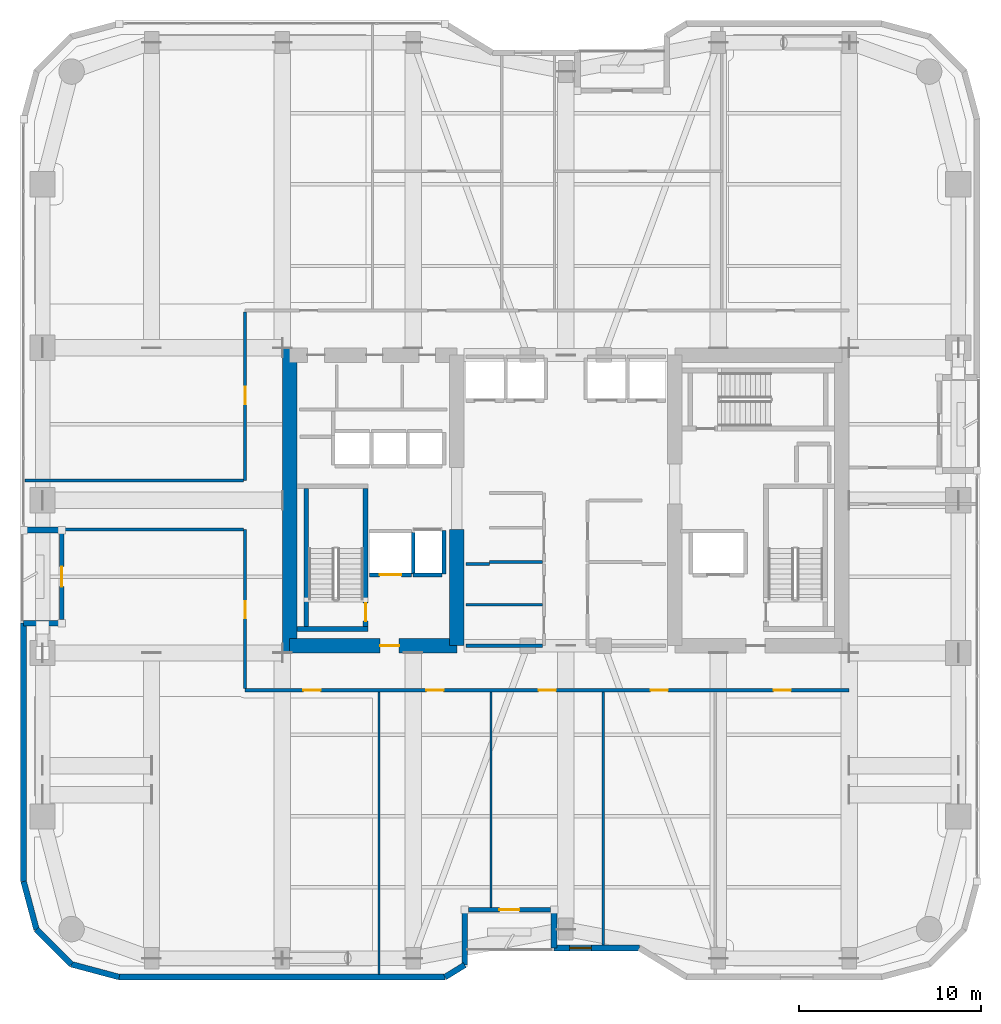
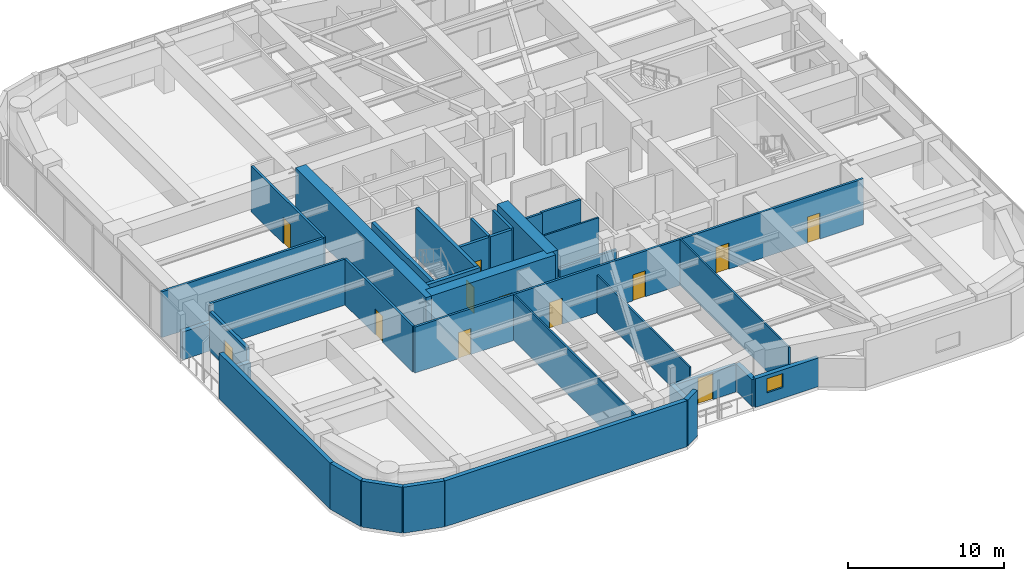
# One storey, part 19 of 25: 35 walls, 12 doors, 1 window, 13 openings.
"""IFC4 building model written with IfcOpenShell, lengths in metres."""

from ifc_helpers import new_model, si_unit, direction, frame, frame_2d, origin, place, context, subcontext, project, spatial, rectangle, extrude, material, layer, layer_set, type_object, element, fill, save


model = new_model("IFC4")

# Units and contexts
model_context = context("Model", 3, precision=1e-05, world=origin(), true_north=direction((0.0, 1.0)))
body_context = subcontext(model_context, "Body", "Model", "MODEL_VIEW")
ifc_project = project(units=[si_unit("LENGTHUNIT", "METRE"), si_unit("AREAUNIT", "SQUARE_METRE"), si_unit("VOLUMEUNIT", "CUBIC_METRE"), si_unit("PLANEANGLEUNIT", "RADIAN"), si_unit("MASSUNIT", "GRAM", prefix="KILO")], contexts=[model_context])

# Site, building, storey
site_placement = place(None, origin())
site = spatial("IfcSite", under=ifc_project, at=site_placement, CompositionType="ELEMENT")
building_placement = place(site_placement, origin())
building = spatial("IfcBuilding", under=site, at=building_placement, Name="Kiyonajd Concourse Tower", CompositionType="ELEMENT")
storey_placement = place(building_placement, frame((0.0, 0.0, 141.60009765625)))
storey = spatial("IfcBuildingStorey", under=building, at=storey_placement, Name="L36", CompositionType="ELEMENT", Elevation=141.60009765625)

# Walls
ifc_material_1 = material(Name="Concrete C70/85", Category="concrete")
ifc_layer_1 = layer(ifc_material_1, 0.800048828125)
ifc_layer_set_1 = layer_set([ifc_layer_1], Name="Concrete C70/85")
wall_type_1 = type_object("IfcWallType", Name="WL-CORE-800", PredefinedType="SHEAR", material=ifc_layer_set_1)
wall_1_placement = place(storey_placement, frame((32.800048828125, 27.60009765625, 0.0), z_axis=(0.0, 0.0, 1.0), x_axis=(0.0, 1.0, 0.0)))
element("IfcWall", 1, at=wall_1_placement, inside=storey, type_object=wall_type_1, Name="L36 West Core Outer Shear Wall", PredefinedType="SHEAR", context=body_context, shape_type="SweptSolid", body=[
    extrude(rectangle(XDim=16.7998046875, YDim=0.800048828125, at=frame_2d((8.39990234375, 0.0))), origin(), (0.0, 0.0, 1.0), 3.89990234375),
])
wall_2_placement = place(storey_placement, frame((42.0, 28.0, 0.0), z_axis=(0.0, 0.0, 1.0), x_axis=(0.0, 1.0, 0.0)))
element("IfcWall", 2, at=wall_2_placement, inside=storey, type_object=wall_type_1, Name="L36 West Core Inner South Shear Wall", PredefinedType="SHEAR", context=body_context, shape_type="SweptSolid", body=[
    extrude(rectangle(XDim=6.39990234375, YDim=0.800048828125, at=frame_2d((3.199951171875, 0.0))), origin(), (0.0, 0.0, 1.0), 3.89990234375),
])

# Wall, opening, door
wall_3_placement = place(storey_placement, frame((32.800048828125, 28.0, 0.0), z_axis=(0.0, 0.0, 1.0), x_axis=(1.0, 0.0, 0.0)))
wall_3 = element("IfcWall", 3, at=wall_3_placement, inside=storey, type_object=wall_type_1, Name="L36 West Core South Shear Wall", PredefinedType="SHEAR", context=body_context, shape_type="SweptSolid", body=[
    extrude(rectangle(XDim=9.199951171875, YDim=0.800048828125, at=frame_2d((4.60009765625, 0.0))), origin(), (0.0, 0.0, 1.0), 3.89990234375),
])
opening_1_placement = place(wall_3_placement, frame((4.97509765625, 0.0, 0.0)))
opening_1 = element("IfcOpeningElement", 4, at=opening_1_placement, cuts=wall_3, Name="Opening DF5", PredefinedType="OPENING", context=body_context, shape_type="SweptSolid", body=[
    extrude(rectangle(XDim=1.050048828125, YDim=2.0400390625, at=frame_2d((0.52490234375, 1.02001953125))), frame((0.0, 0.409912109375, 0.0), z_axis=(0.0, -1.0, 0.0), x_axis=(1.0, 0.0, 0.0)), (0.0, 0.0, 1.0), 0.820068359375),
])
ifc_material_2 = material(Name="Brushed Stainless Steel Cab Assembly", Category="steel")
door_type_1 = type_object("IfcDoorType", Name="DR-FD45-1050", OperationType="NOTDEFINED", PredefinedType="DOOR", material=ifc_material_2)
door_1_placement = place(opening_1_placement, origin())
door_1 = element("IfcDoor", 5, at=door_1_placement, inside=storey, type_object=door_type_1, Name="L36 Firefighting Lift Lobby W Smoke Door", OperationType="SINGLE_SWING_LEFT", OverallHeight=2.0400390625, OverallWidth=1.050048828125, PredefinedType="DOOR", context=body_context, shape_type="SweptSolid", body=[
    extrude(rectangle(XDim=1.050048828125, YDim=2.0400390625, at=frame_2d((0.52490234375, 1.02001953125))), frame((0.0, 0.02490234375, 0.0), z_axis=(0.0, -1.0, 0.0), x_axis=(1.0, 0.0, 0.0)), (0.0, 0.0, 1.0), 0.050048828125),
])
fill(opening_1, door_1)

# Walls
ifc_material_3 = material(Name="Precast concrete C50/60", Category="concrete")
ifc_layer_2 = layer(ifc_material_3, 0.320068359375)
ifc_layer_set_2 = layer_set([ifc_layer_2], Name="Precast concrete C50/60")
wall_type_2 = type_object("IfcWallType", Name="WL-EXT-320", PredefinedType="SOLIDWALL", material=ifc_layer_set_2)
wall_4_placement = place(storey_placement, frame((18.866455078125, 12.3828125, 0.0), z_axis=(0.0, 0.0, 1.0), x_axis=(-0.25869736047, 0.965958423373, 0.0)))
element("IfcWall", 6, at=wall_4_placement, inside=storey, type_object=wall_type_2, Name="L36 Exterior Concrete Frame Wall 00", PredefinedType="SOLIDWALL", context=body_context, shape_type="SweptSolid", body=[
    extrude(rectangle(XDim=2.731201171875, YDim=0.320068359375, at=frame_2d((1.36572265625, 0.0))), origin(), (0.0, 0.0, 1.0), 3.599853515625),
])
wall_5_placement = place(storey_placement, frame((18.159912109375, 15.02099609375, 0.0), z_axis=(0.0, 0.0, 1.0), x_axis=(0.0, 1.0, 0.0)))
element("IfcWall", 7, at=wall_5_placement, inside=storey, type_object=wall_type_2, Name="L36 Exterior Concrete Frame Wall 01", PredefinedType="SOLIDWALL", context=body_context, shape_type="SweptSolid", body=[
    extrude(rectangle(XDim=14.218994140625, YDim=0.320068359375, at=frame_2d((7.109375, 0.0))), origin(), (0.0, 0.0, 1.0), 3.599853515625),
])
for number, where, z_axis, x_axis, name in (
    (8, (18.159912109375, 29.239990234375, 0.0), (0.0, 0.0, 1.0), (1.0, 0.0, 0.0), "L36 Exterior Concrete Frame Wall 02"),
    (9, (20.260009765625, 34.360107421875, 0.0), (0.0, 0.0, 1.0), (-1.0, 0.0, 0.0), "L36 Exterior Concrete Frame Wall 04"),
):
    element("IfcWall", number, at=place(storey_placement, frame(where, z_axis=z_axis, x_axis=x_axis)), inside=storey, type_object=wall_type_2, Name=name, PredefinedType="SOLIDWALL", context=body_context, shape_type="SweptSolid", body=[
        extrude(rectangle(XDim=2.10009765625, YDim=0.320068359375, at=frame_2d((1.050048828125, 0.0))), origin(), (0.0, 0.0, 1.0), 2.184814453125),
    ])

# Wall, opening, window
wall_6_placement = place(storey_placement, frame((52.04541015625, 11.360107421875, 0.0), z_axis=(0.0, 0.0, 1.0), x_axis=(-1.0, 0.0, 0.0)))
wall_6 = element("IfcWall", 10, at=wall_6_placement, inside=storey, type_object=wall_type_2, Name="L36 Exterior Concrete Frame Wall 30", PredefinedType="SOLIDWALL", context=body_context, shape_type="SweptSolid", body=[
    extrude(rectangle(XDim=4.685302734375, YDim=0.320068359375, at=frame_2d((2.3427734375, 0.0))), origin(), (0.0, 0.0, 1.0), 2.244873046875),
])
opening_2_placement = place(wall_6_placement, frame((2.639892578125, 0.0, 0.85009765625)))
opening_2 = element("IfcOpeningElement", 11, at=opening_2_placement, cuts=wall_6, Name="Opening WN3", PredefinedType="OPENING", context=body_context, shape_type="SweptSolid", body=[
    extrude(rectangle(XDim=1.199951171875, YDim=1.10009765625, at=frame_2d((0.60009765625, 0.550048828125))), frame((0.0, 0.169921875, 0.0), z_axis=(0.0, -1.0, 0.0), x_axis=(1.0, 0.0, 0.0)), (0.0, 0.0, 1.0), 0.340087890625),
])
ifc_material_4 = material(Name="Double Low-E Insulated Glass", Category="glass")
window_type = type_object("IfcWindowType", Name="WN-VIS-1200x1100", PartitioningType="SINGLE_PANEL", PredefinedType="WINDOW", material=ifc_material_4)
window_placement = place(opening_2_placement, origin())
window = element("IfcWindow", 12, at=window_placement, inside=storey, type_object=window_type, Name="L36 Modular Facade Vision Window 30", OverallHeight=1.10009765625, OverallWidth=1.199951171875, PartitioningType="SINGLE_PANEL", PredefinedType="WINDOW", context=body_context, shape_type="SweptSolid", body=[
    extrude(rectangle(XDim=1.199951171875, YDim=1.10009765625, at=frame_2d((0.60009765625, 0.550048828125))), frame((0.0, 0.030029296875, 0.0), z_axis=(0.0, -1.0, 0.0), x_axis=(1.0, 0.0, 0.0)), (0.0, 0.0, 1.0), 0.06005859375),
])
fill(opening_2, window)

# Walls
wall_7_placement = place(storey_placement, frame((47.360107421875, 11.360107421875, 0.0), z_axis=(0.0, 0.0, 1.0), x_axis=(0.0, 1.0, 0.0)))
element("IfcWall", 13, at=wall_7_placement, inside=storey, type_object=wall_type_2, Name="L36 Exterior Concrete Frame Wall 31", PredefinedType="SOLIDWALL", context=body_context, shape_type="SweptSolid", body=[
    extrude(rectangle(XDim=2.099853515625, YDim=0.320068359375, at=frame_2d((1.0498046875, 0.0))), origin(), (0.0, 0.0, 1.0), 2.135009765625),
])
wall_8_placement = place(storey_placement, frame((42.43994140625, 13.4599609375, 0.0), z_axis=(0.0, 0.0, 1.0), x_axis=(0.0, -1.0, 0.0)))
element("IfcWall", 14, at=wall_8_placement, inside=storey, type_object=wall_type_2, Name="L36 Exterior Concrete Frame Wall 33", PredefinedType="SOLIDWALL", context=body_context, shape_type="SweptSolid", body=[
    extrude(rectangle(XDim=3.032470703125, YDim=0.320068359375, at=frame_2d((1.51611328125, 0.0))), origin(), (0.0, 0.0, 1.0), 2.244873046875),
])
wall_9_placement = place(storey_placement, frame((42.43994140625, 10.427490234375, 0.0), z_axis=(0.0, 0.0, 1.0), x_axis=(-0.851776724646, -0.523904964045, 0.0)))
element("IfcWall", 15, at=wall_9_placement, inside=storey, type_object=wall_type_2, Name="L36 Exterior Concrete Frame Wall 34", PredefinedType="SOLIDWALL", context=body_context, shape_type="SweptSolid", body=[
    extrude(rectangle(XDim=1.274169921875, YDim=0.320068359375, at=frame_2d((0.63720703125, 0.0))), origin(), (0.0, 0.0, 1.0), 3.599853515625),
])
wall_10_placement = place(storey_placement, frame((41.354736328125, 9.760009765625, 0.0), z_axis=(0.0, 0.0, 1.0), x_axis=(-1.0, 0.0, 0.0)))
element("IfcWall", 16, at=wall_10_placement, inside=storey, type_object=wall_type_2, Name="L36 Exterior Concrete Frame Wall 35", PredefinedType="SOLIDWALL", context=body_context, shape_type="SweptSolid", body=[
    extrude(rectangle(XDim=17.93359375, YDim=0.320068359375, at=frame_2d((8.966796875, 0.0))), origin(), (0.0, 0.0, 1.0), 3.599853515625),
])
wall_11_placement = place(storey_placement, frame((23.421142578125, 9.760009765625, 0.0), z_axis=(0.0, 0.0, 1.0), x_axis=(-0.965964405026, 0.25867502435, 0.0)))
element("IfcWall", 17, at=wall_11_placement, inside=storey, type_object=wall_type_2, Name="L36 Exterior Concrete Frame Wall 36", PredefinedType="SOLIDWALL", context=body_context, shape_type="SweptSolid", body=[
    extrude(rectangle(XDim=2.7314453125, YDim=0.320068359375, at=frame_2d((1.36572265625, 0.0))), origin(), (0.0, 0.0, 1.0), 3.599853515625),
])
wall_12_placement = place(storey_placement, frame((20.78271484375, 10.466552734375, 0.0), z_axis=(0.0, 0.0, 1.0), x_axis=(-0.707106781187, 0.707106781187, 0.0)))
element("IfcWall", 18, at=wall_12_placement, inside=storey, type_object=wall_type_2, Name="L36 Exterior Concrete Frame Wall 37", PredefinedType="SOLIDWALL", context=body_context, shape_type="SweptSolid", body=[
    extrude(rectangle(XDim=2.7099609375, YDim=0.320068359375, at=frame_2d((1.35498046875, 0.0))), origin(), (0.0, 0.0, 1.0), 3.599853515625),
])

# Wall, opening, door
ifc_layer_3 = layer(ifc_material_3, 0.239990234375)
ifc_layer_set_3 = layer_set([ifc_layer_3], Name="Precast concrete C50/60")
wall_type_3 = type_object("IfcWallType", Name="WL-LOG-240", PredefinedType="SOLIDWALL", material=ifc_layer_set_3)
wall_13_placement = place(storey_placement, frame((20.260009765625, 29.43505859375, 0.0), z_axis=(0.0, 0.0, 1.0), x_axis=(0.0, 1.0, 0.0)))
wall_13 = element("IfcWall", 19, at=wall_13_placement, inside=storey, type_object=wall_type_3, Name="L36 Recessed Loggia Thermal Wall LOG-W", PredefinedType="SOLIDWALL", context=body_context, shape_type="SweptSolid", body=[
    extrude(rectangle(XDim=4.72998046875, YDim=0.239990234375, at=frame_2d((2.364990234375, 0.0))), origin(), (0.0, 0.0, 1.0), 3.121826171875),
])
opening_3_placement = place(wall_13_placement, frame((1.81494140625, 0.0, 0.0)))
opening_3 = element("IfcOpeningElement", 20, at=opening_3_placement, cuts=wall_13, Name="Opening DL2", PredefinedType="OPENING", context=body_context, shape_type="SweptSolid", body=[
    extrude(rectangle(XDim=1.10009765625, YDim=2.0400390625, at=frame_2d((0.550048828125, 1.02001953125))), frame((0.0, 0.1298828125, 0.0), z_axis=(0.0, -1.0, 0.0), x_axis=(1.0, 0.0, 0.0)), (0.0, 0.0, 1.0), 0.260009765625),
])
ifc_material_5 = material(Name="Thermally Broken Anodised Aluminium", Category="aluminium")
door_type_2 = type_object("IfcDoorType", Name="DR-LOG-1100", OperationType="NOTDEFINED", PredefinedType="DOOR", material=ifc_material_5)
door_2_placement = place(opening_3_placement, origin())
door_2 = element("IfcDoor", 21, at=door_2_placement, inside=storey, type_object=door_type_2, Name="L36 Engawa Loggia Access Door LOG-W", OperationType="SINGLE_SWING_LEFT", OverallHeight=2.0400390625, OverallWidth=1.10009765625, PredefinedType="DOOR", context=body_context, shape_type="SweptSolid", body=[
    extrude(rectangle(XDim=1.10009765625, YDim=2.0400390625, at=frame_2d((0.550048828125, 1.02001953125))), frame((0.0, 0.02490234375, 0.0), z_axis=(0.0, -1.0, 0.0), x_axis=(1.0, 0.0, 0.0)), (0.0, 0.0, 1.0), 0.050048828125),
])
fill(opening_3, door_2)

wall_14_placement = place(storey_placement, frame((47.1650390625, 13.4599609375, 0.0), z_axis=(0.0, 0.0, 1.0), x_axis=(-1.0, 0.0, 0.0)))
wall_14 = element("IfcWall", 22, at=wall_14_placement, inside=storey, type_object=wall_type_3, Name="L36 Recessed Loggia Thermal Wall LOG-S", PredefinedType="SOLIDWALL", context=body_context, shape_type="SweptSolid", body=[
    extrude(rectangle(XDim=4.530029296875, YDim=0.239990234375, at=frame_2d((2.26513671875, 0.0))), origin(), (0.0, 0.0, 1.0), 2.135009765625),
])
opening_4_placement = place(wall_14_placement, frame((1.715087890625, 0.0, 0.0)))
opening_4 = element("IfcOpeningElement", 23, at=opening_4_placement, cuts=wall_14, Name="Opening DL2", PredefinedType="OPENING", context=body_context, shape_type="SweptSolid", body=[
    extrude(rectangle(XDim=1.10009765625, YDim=2.0400390625, at=frame_2d((0.550048828125, 1.02001953125))), frame((0.0, 0.1298828125, 0.0), z_axis=(0.0, -1.0, 0.0), x_axis=(1.0, 0.0, 0.0)), (0.0, 0.0, 1.0), 0.260009765625),
])
door_3_placement = place(opening_4_placement, origin())
door_3 = element("IfcDoor", 24, at=door_3_placement, inside=storey, type_object=door_type_2, Name="L36 Engawa Loggia Access Door LOG-S", OperationType="SINGLE_SWING_RIGHT", OverallHeight=2.0400390625, OverallWidth=1.10009765625, PredefinedType="DOOR", context=body_context, shape_type="SweptSolid", body=[
    extrude(rectangle(XDim=1.10009765625, YDim=2.0400390625, at=frame_2d((0.550048828125, 1.02001953125))), frame((0.0, 0.02490234375, 0.0), z_axis=(0.0, -1.0, 0.0), x_axis=(1.0, 0.0, 0.0)), (0.0, 0.0, 1.0), 0.050048828125),
])
fill(opening_4, door_3)

# Walls
ifc_material_6 = material(Name="Gypsum Board on Cold-Formed Steel Stud", Category="steel")
ifc_layer_4 = layer(ifc_material_6, 0.125)
ifc_layer_set_4 = layer_set([ifc_layer_4], Name="Gypsum Board on Cold-Formed Steel Stud")
wall_type_4 = type_object("IfcWallType", Name="WL-PART-125", PredefinedType="PARTITIONING", material=ifc_layer_set_4)
wall_15_placement = place(storey_placement, frame((42.5, 30.25, 0.0), z_axis=(0.0, 0.0, 1.0), x_axis=(1.0, 0.0, 0.0)))
element("IfcWall", 25, at=wall_15_placement, inside=storey, type_object=wall_type_4, Name="L36 Interior Partition Wall", PredefinedType="PARTITIONING", context=body_context, shape_type="SweptSolid", body=[
    extrude(rectangle(XDim=4.212890625, YDim=0.125, at=frame_2d((2.1064453125, 0.0))), origin(), (0.0, 0.0, 1.0), 3.599853515625),
])
wall_16_placement = place(storey_placement, frame((37.719970703125, 9.9150390625, 0.0), z_axis=(0.0, 0.0, 1.0), x_axis=(0.0, 1.0, 0.0)))
element("IfcWall", 26, at=wall_16_placement, inside=storey, type_object=wall_type_4, Name="L36 Interior Partition Wall", PredefinedType="PARTITIONING", context=body_context, shape_type="SweptSolid", body=[
    extrude(rectangle(XDim=15.5478515625, YDim=0.125, at=frame_2d((7.77392578125, 0.0))), origin(), (0.0, 0.0, 1.0), 3.599853515625),
])
wall_17_placement = place(storey_placement, frame((43.889892578125, 13.574951171875, 0.0), z_axis=(0.0, 0.0, 1.0), x_axis=(0.0, 1.0, 0.0)))
element("IfcWall", 27, at=wall_17_placement, inside=storey, type_object=wall_type_4, Name="L36 Interior Partition Wall", PredefinedType="PARTITIONING", context=body_context, shape_type="SweptSolid", body=[
    extrude(rectangle(XDim=11.887939453125, YDim=0.125, at=frame_2d((5.94384765625, 0.0))), origin(), (0.0, 0.0, 1.0), 2.962890625),
])
wall_18_placement = place(storey_placement, frame((50.06005859375, 11.514892578125, 0.0), z_axis=(0.0, 0.0, 1.0), x_axis=(0.0, 1.0, 0.0)))
element("IfcWall", 28, at=wall_18_placement, inside=storey, type_object=wall_type_4, Name="L36 Interior Partition Wall", PredefinedType="PARTITIONING", context=body_context, shape_type="SweptSolid", body=[
    extrude(rectangle(XDim=13.947998046875, YDim=0.125, at=frame_2d((6.97412109375, 0.0))), origin(), (0.0, 0.0, 1.0), 3.599853515625),
])

# Wall, opening, door
ifc_layer_5 = layer(ifc_material_6, 0.2099609375)
ifc_layer_set_5 = layer_set([ifc_layer_5], Name="Gypsum Board on Cold-Formed Steel Stud")
wall_type_5 = type_object("IfcWallType", Name="WL-SHAFT-210", PredefinedType="PARTITIONING", material=ifc_layer_set_5)
wall_19_placement = place(storey_placement, frame((37.199951171875, 31.89990234375, 0.0), z_axis=(0.0, 0.0, 1.0), x_axis=(1.0, 0.0, 0.0)))
wall_19 = element("IfcWall", 29, at=wall_19_placement, inside=storey, type_object=wall_type_5, Name="L36 Shaft Enclosure Wall", PredefinedType="PARTITIONING", context=body_context, shape_type="SweptSolid", body=[
    extrude(rectangle(XDim=2.300048828125, YDim=0.2099609375, at=frame_2d((1.14990234375, 0.0))), origin(), (0.0, 0.0, 1.0), 3.599853515625),
])
opening_5_placement = place(wall_19_placement, frame((0.550048828125, 0.0, 0.0)))
opening_5 = element("IfcOpeningElement", 30, at=opening_5_placement, cuts=wall_19, Name="Opening LD2", PredefinedType="OPENING", context=body_context, shape_type="SweptSolid", body=[
    extrude(rectangle(XDim=1.199951171875, YDim=2.0400390625, at=frame_2d((0.60009765625, 1.02001953125))), frame((0.0, 0.114990234375, 0.0), z_axis=(0.0, -1.0, 0.0), x_axis=(1.0, 0.0, 0.0)), (0.0, 0.0, 1.0), 0.22998046875),
])
door_type_3 = type_object("IfcDoorType", Name="DR-LD-1200", OperationType="DOUBLE_DOOR_SLIDING", PredefinedType="DOOR", material=ifc_material_2)
door_4_placement = place(opening_5_placement, origin())
door_4 = element("IfcDoor", 31, at=door_4_placement, inside=storey, type_object=door_type_3, Name="L36 Lift FFL1 Sliding Landing Door", OperationType="DOUBLE_DOOR_SLIDING", OverallHeight=2.0400390625, OverallWidth=1.199951171875, PredefinedType="DOOR", context=body_context, shape_type="SweptSolid", body=[
    extrude(rectangle(XDim=1.199951171875, YDim=2.0400390625, at=frame_2d((0.60009765625, 1.02001953125))), frame((0.0, 0.02490234375, 0.0), z_axis=(0.0, -1.0, 0.0), x_axis=(1.0, 0.0, 0.0)), (0.0, 0.0, 1.0), 0.050048828125),
])
fill(opening_5, door_4)

# Walls
wall_20_placement = place(storey_placement, frame((39.60009765625, 31.9599609375, 0.0), z_axis=(0.0, 0.0, 1.0), x_axis=(0.0, 1.0, 0.0)))
element("IfcWall", 32, at=wall_20_placement, inside=storey, type_object=wall_type_5, Name="L36 Shaft Enclosure Wall", PredefinedType="PARTITIONING", context=body_context, shape_type="SweptSolid", body=[
    extrude(rectangle(XDim=2.280029296875, YDim=0.2099609375, at=frame_2d((1.14013671875, 0.0))), origin(), (0.0, 0.0, 1.0), 3.599853515625),
])
wall_21_placement = place(storey_placement, frame((39.60009765625, 31.89990234375, 0.0), z_axis=(0.0, 0.0, 1.0), x_axis=(1.0, 0.0, 0.0)))
element("IfcWall", 33, at=wall_21_placement, inside=storey, type_object=wall_type_5, Name="L36 Shaft Enclosure Wall", PredefinedType="PARTITIONING", context=body_context, shape_type="SweptSolid", body=[
    extrude(rectangle(XDim=1.599853515625, YDim=0.2099609375, at=frame_2d((0.7998046875, 0.0))), origin(), (0.0, 0.0, 1.0), 3.599853515625),
])
wall_22_placement = place(storey_placement, frame((41.300048828125, 31.9599609375, 0.0), z_axis=(0.0, 0.0, 1.0), x_axis=(0.0, 1.0, 0.0)))
element("IfcWall", 34, at=wall_22_placement, inside=storey, type_object=wall_type_5, Name="L36 Shaft Enclosure Wall", PredefinedType="PARTITIONING", context=body_context, shape_type="SweptSolid", body=[
    extrude(rectangle(XDim=2.380126953125, YDim=0.2099609375, at=frame_2d((1.18994140625, 0.0))), origin(), (0.0, 0.0, 1.0), 3.599853515625),
])
ifc_layer_6 = layer(ifc_material_6, 0.169921875)
ifc_layer_set_6 = layer_set([ifc_layer_6], Name="Gypsum Board on Cold-Formed Steel Stud")
wall_type_6 = type_object("IfcWallType", Name="WL-SMK-170", PredefinedType="PARTITIONING", material=ifc_layer_set_6)
wall_23_placement = place(storey_placement, frame((43.800048828125, 32.60009765625, 0.0), z_axis=(0.0, 0.0, 1.0), x_axis=(1.0, 0.0, 0.0)))
element("IfcWall", 35, at=wall_23_placement, inside=storey, type_object=wall_type_6, Name="L36 Interior Partition Wall", PredefinedType="PARTITIONING", context=body_context, shape_type="SweptSolid", body=[
    extrude(rectangle(XDim=2.912841796875, YDim=0.169921875, at=frame_2d((1.45654296875, 0.0))), origin(), (0.0, 0.0, 1.0), 3.599853515625),
])
wall_24_placement = place(storey_placement, frame((42.5, 28.0, 0.0), z_axis=(0.0, 0.0, 1.0), x_axis=(1.0, 0.0, 0.0)))
element("IfcWall", 36, at=wall_24_placement, inside=storey, type_object=wall_type_6, Name="L36 Interior Partition Wall", PredefinedType="PARTITIONING", context=body_context, shape_type="SweptSolid", body=[
    extrude(rectangle(XDim=4.212890625, YDim=0.169921875, at=frame_2d((2.1064453125, 0.0))), origin(), (0.0, 0.0, 1.0), 2.48486328125),
])
wall_25_placement = place(storey_placement, frame((42.5, 32.5, 0.0), z_axis=(0.0, 0.0, 1.0), x_axis=(1.0, 0.0, 0.0)))
element("IfcWall", 37, at=wall_25_placement, inside=storey, type_object=wall_type_6, Name="L36 Interior Partition Wall", PredefinedType="PARTITIONING", context=body_context, shape_type="SweptSolid", body=[
    extrude(rectangle(XDim=1.300048828125, YDim=0.169921875, at=frame_2d((0.64990234375, 0.0))), origin(), (0.0, 0.0, 1.0), 3.599853515625),
])

# Wall, openings, doors
wall_26_placement = place(storey_placement, frame((30.35009765625, 25.550048828125, 0.0), z_axis=(0.0, 0.0, 1.0), x_axis=(1.0, 0.0, 0.0)))
wall_26 = element("IfcWall", 38, at=wall_26_placement, inside=storey, type_object=wall_type_6, Name="L36 Interior Partition Wall", PredefinedType="PARTITIONING", context=body_context, shape_type="SweptSolid", body=[
    extrude(rectangle(XDim=33.25, YDim=0.169921875, at=frame_2d((16.625, 0.0))), origin(), (0.0, 0.0, 1.0), 3.599853515625),
])
opening_6_placement = place(wall_26_placement, frame((3.2099609375, 0.0, 0.0)))
opening_6 = element("IfcOpeningElement", 39, at=opening_6_placement, cuts=wall_26, Name="Opening DI1", PredefinedType="OPENING", context=body_context, shape_type="SweptSolid", body=[
    extrude(rectangle(XDim=0.949951171875, YDim=2.0400390625, at=frame_2d((0.47509765625, 1.02001953125))), frame((0.0, 0.094970703125, 0.0), z_axis=(0.0, -1.0, 0.0), x_axis=(1.0, 0.0, 0.0)), (0.0, 0.0, 1.0), 0.18994140625),
])
opening_7_placement = place(wall_26_placement, frame((9.97998046875, 0.0, 0.0)))
opening_7 = element("IfcOpeningElement", 40, at=opening_7_placement, cuts=wall_26, Name="Opening DI1", PredefinedType="OPENING", context=body_context, shape_type="SweptSolid", body=[
    extrude(rectangle(XDim=0.949951171875, YDim=2.0400390625, at=frame_2d((0.47509765625, 1.02001953125))), frame((0.0, 0.094970703125, 0.0), z_axis=(0.0, -1.0, 0.0), x_axis=(1.0, 0.0, 0.0)), (0.0, 0.0, 1.0), 0.18994140625),
])
opening_8_placement = place(wall_26_placement, frame((16.14990234375, 0.0, 0.0)))
opening_8 = element("IfcOpeningElement", 41, at=opening_8_placement, cuts=wall_26, Name="Opening DI1", PredefinedType="OPENING", context=body_context, shape_type="SweptSolid", body=[
    extrude(rectangle(XDim=0.949951171875, YDim=2.0400390625, at=frame_2d((0.47509765625, 1.02001953125))), frame((0.0, 0.094970703125, 0.0), z_axis=(0.0, -1.0, 0.0), x_axis=(1.0, 0.0, 0.0)), (0.0, 0.0, 1.0), 0.18994140625),
])
opening_9_placement = place(wall_26_placement, frame((22.320068359375, 0.0, 0.0)))
opening_9 = element("IfcOpeningElement", 42, at=opening_9_placement, cuts=wall_26, Name="Opening DI1", PredefinedType="OPENING", context=body_context, shape_type="SweptSolid", body=[
    extrude(rectangle(XDim=0.949951171875, YDim=2.0400390625, at=frame_2d((0.47509765625, 1.02001953125))), frame((0.0, 0.094970703125, 0.0), z_axis=(0.0, -1.0, 0.0), x_axis=(1.0, 0.0, 0.0)), (0.0, 0.0, 1.0), 0.18994140625),
])
opening_10_placement = place(wall_26_placement, frame((29.090087890625, 0.0, 0.0)))
opening_10 = element("IfcOpeningElement", 43, at=opening_10_placement, cuts=wall_26, Name="Opening DI1", PredefinedType="OPENING", context=body_context, shape_type="SweptSolid", body=[
    extrude(rectangle(XDim=0.949951171875, YDim=2.0400390625, at=frame_2d((0.47509765625, 1.02001953125))), frame((0.0, 0.094970703125, 0.0), z_axis=(0.0, -1.0, 0.0), x_axis=(1.0, 0.0, 0.0)), (0.0, 0.0, 1.0), 0.18994140625),
])
ifc_material_7 = material(Name="Natural Oak Acoustic Timber Veneer", Category="wood")
door_type_4 = type_object("IfcDoorType", Name="DR-INT-950", OperationType="NOTDEFINED", PredefinedType="DOOR", material=ifc_material_7)
door_5_placement = place(opening_6_placement, origin())
door_5 = element("IfcDoor", 44, at=door_5_placement, inside=storey, type_object=door_type_4, Name="L36 Interior Door", OperationType="SINGLE_SWING_RIGHT", OverallHeight=2.0400390625, OverallWidth=0.949951171875, PredefinedType="DOOR", context=body_context, shape_type="SweptSolid", body=[
    extrude(rectangle(XDim=0.949951171875, YDim=2.0400390625, at=frame_2d((0.47509765625, 1.02001953125))), frame((0.0, 0.02490234375, 0.0), z_axis=(0.0, -1.0, 0.0), x_axis=(1.0, 0.0, 0.0)), (0.0, 0.0, 1.0), 0.050048828125),
])
fill(opening_6, door_5)
door_6_placement = place(opening_7_placement, origin())
door_6 = element("IfcDoor", 45, at=door_6_placement, inside=storey, type_object=door_type_4, Name="L36 Interior Door", OperationType="SINGLE_SWING_LEFT", OverallHeight=2.0400390625, OverallWidth=0.949951171875, PredefinedType="DOOR", context=body_context, shape_type="SweptSolid", body=[
    extrude(rectangle(XDim=0.949951171875, YDim=2.0400390625, at=frame_2d((0.47509765625, 1.02001953125))), frame((0.0, 0.02490234375, 0.0), z_axis=(0.0, -1.0, 0.0), x_axis=(1.0, 0.0, 0.0)), (0.0, 0.0, 1.0), 0.050048828125),
])
fill(opening_7, door_6)
door_7_placement = place(opening_8_placement, origin())
door_7 = element("IfcDoor", 46, at=door_7_placement, inside=storey, type_object=door_type_4, Name="L36 Interior Door", OperationType="SINGLE_SWING_RIGHT", OverallHeight=2.0400390625, OverallWidth=0.949951171875, PredefinedType="DOOR", context=body_context, shape_type="SweptSolid", body=[
    extrude(rectangle(XDim=0.949951171875, YDim=2.0400390625, at=frame_2d((0.47509765625, 1.02001953125))), frame((0.0, 0.02490234375, 0.0), z_axis=(0.0, -1.0, 0.0), x_axis=(1.0, 0.0, 0.0)), (0.0, 0.0, 1.0), 0.050048828125),
])
fill(opening_8, door_7)
door_8_placement = place(opening_9_placement, origin())
door_8 = element("IfcDoor", 47, at=door_8_placement, inside=storey, type_object=door_type_4, Name="L36 Interior Door", OperationType="SINGLE_SWING_LEFT", OverallHeight=2.0400390625, OverallWidth=0.949951171875, PredefinedType="DOOR", context=body_context, shape_type="SweptSolid", body=[
    extrude(rectangle(XDim=0.949951171875, YDim=2.0400390625, at=frame_2d((0.47509765625, 1.02001953125))), frame((0.0, 0.02490234375, 0.0), z_axis=(0.0, -1.0, 0.0), x_axis=(1.0, 0.0, 0.0)), (0.0, 0.0, 1.0), 0.050048828125),
])
fill(opening_9, door_8)
door_9_placement = place(opening_10_placement, origin())
door_9 = element("IfcDoor", 48, at=door_9_placement, inside=storey, type_object=door_type_4, Name="L36 Interior Door", OperationType="SINGLE_SWING_RIGHT", OverallHeight=2.0400390625, OverallWidth=0.949951171875, PredefinedType="DOOR", context=body_context, shape_type="SweptSolid", body=[
    extrude(rectangle(XDim=0.949951171875, YDim=2.0400390625, at=frame_2d((0.47509765625, 1.02001953125))), frame((0.0, 0.02490234375, 0.0), z_axis=(0.0, -1.0, 0.0), x_axis=(1.0, 0.0, 0.0)), (0.0, 0.0, 1.0), 0.050048828125),
])
fill(opening_10, door_9)

# Wall, opening, door
wall_27_placement = place(storey_placement, frame((30.35009765625, 25.636962890625, 0.0), z_axis=(0.0, 0.0, 1.0), x_axis=(0.0, 1.0, 0.0)))
wall_27 = element("IfcWall", 49, at=wall_27_placement, inside=storey, type_object=wall_type_6, Name="L36 Interior Partition Wall", PredefinedType="PARTITIONING", context=body_context, shape_type="SweptSolid", body=[
    extrude(rectangle(XDim=8.762939453125, YDim=0.169921875, at=frame_2d((4.38134765625, 0.0))), origin(), (0.0, 0.0, 1.0), 3.599853515625),
])
opening_11_placement = place(wall_27_placement, frame((3.863037109375, 0.0, 0.0)))
opening_11 = element("IfcOpeningElement", 50, at=opening_11_placement, cuts=wall_27, Name="Opening DI1", PredefinedType="OPENING", context=body_context, shape_type="SweptSolid", body=[
    extrude(rectangle(XDim=0.949951171875, YDim=2.0400390625, at=frame_2d((0.47509765625, 1.02001953125))), frame((0.0, 0.094970703125, 0.0), z_axis=(0.0, -1.0, 0.0), x_axis=(1.0, 0.0, 0.0)), (0.0, 0.0, 1.0), 0.18994140625),
])
door_10_placement = place(opening_11_placement, origin())
door_10 = element("IfcDoor", 51, at=door_10_placement, inside=storey, type_object=door_type_4, Name="L36 Interior Door", OperationType="SINGLE_SWING_RIGHT", OverallHeight=2.0400390625, OverallWidth=0.949951171875, PredefinedType="DOOR", context=body_context, shape_type="SweptSolid", body=[
    extrude(rectangle(XDim=0.949951171875, YDim=2.0400390625, at=frame_2d((0.47509765625, 1.02001953125))), frame((0.0, 0.02490234375, 0.0), z_axis=(0.0, -1.0, 0.0), x_axis=(1.0, 0.0, 0.0)), (0.0, 0.0, 1.0), 0.050048828125),
])
fill(opening_11, door_10)

wall_28_placement = place(storey_placement, frame((30.35009765625, 37.10009765625, 0.0), z_axis=(0.0, 0.0, 1.0), x_axis=(0.0, 1.0, 0.0)))
wall_28 = element("IfcWall", 52, at=wall_28_placement, inside=storey, type_object=wall_type_6, Name="L36 Interior Partition Wall", PredefinedType="PARTITIONING", context=body_context, shape_type="SweptSolid", body=[
    extrude(rectangle(XDim=9.262939453125, YDim=0.169921875, at=frame_2d((4.63134765625, 0.0))), origin(), (0.0, 0.0, 1.0), 3.599853515625),
])
opening_12_placement = place(wall_28_placement, frame((4.199951171875, 0.0, 0.0)))
opening_12 = element("IfcOpeningElement", 53, at=opening_12_placement, cuts=wall_28, Name="Opening DI1", PredefinedType="OPENING", context=body_context, shape_type="SweptSolid", body=[
    extrude(rectangle(XDim=0.949951171875, YDim=2.0400390625, at=frame_2d((0.47509765625, 1.02001953125))), frame((0.0, 0.094970703125, 0.0), z_axis=(0.0, -1.0, 0.0), x_axis=(1.0, 0.0, 0.0)), (0.0, 0.0, 1.0), 0.18994140625),
])
door_11_placement = place(opening_12_placement, origin())
door_11 = element("IfcDoor", 54, at=door_11_placement, inside=storey, type_object=door_type_4, Name="L36 Interior Door", OperationType="SINGLE_SWING_LEFT", OverallHeight=2.0400390625, OverallWidth=0.949951171875, PredefinedType="DOOR", context=body_context, shape_type="SweptSolid", body=[
    extrude(rectangle(XDim=0.949951171875, YDim=2.0400390625, at=frame_2d((0.47509765625, 1.02001953125))), frame((0.0, 0.02490234375, 0.0), z_axis=(0.0, -1.0, 0.0), x_axis=(1.0, 0.0, 0.0)), (0.0, 0.0, 1.0), 0.050048828125),
])
fill(opening_12, door_11)

# Walls
wall_29_placement = place(storey_placement, frame((20.260009765625, 34.39990234375, 0.0), z_axis=(0.0, 0.0, 1.0), x_axis=(1.0, 0.0, 0.0)))
element("IfcWall", 55, at=wall_29_placement, inside=storey, type_object=wall_type_6, Name="L36 Interior Partition Wall", PredefinedType="PARTITIONING", context=body_context, shape_type="SweptSolid", body=[
    extrude(rectangle(XDim=10.0029296875, YDim=0.169921875, at=frame_2d((5.00146484375, 0.0))), origin(), (0.0, 0.0, 1.0), 3.599853515625),
])
wall_30_placement = place(storey_placement, frame((18.2451171875, 37.10009765625, 0.0), z_axis=(0.0, 0.0, 1.0), x_axis=(1.0, 0.0, 0.0)))
element("IfcWall", 56, at=wall_30_placement, inside=storey, type_object=wall_type_6, Name="L36 Interior Partition Wall", PredefinedType="PARTITIONING", context=body_context, shape_type="SweptSolid", body=[
    extrude(rectangle(XDim=12.017822265625, YDim=0.169921875, at=frame_2d((6.0087890625, 0.0))), origin(), (0.0, 0.0, 1.0), 3.599853515625),
])
ifc_material_8 = material(Name="Concrete C50/60", Category="concrete")
ifc_layer_7 = layer(ifc_material_8, 0.260009765625)
ifc_layer_set_7 = layer_set([ifc_layer_7], Name="Concrete C50/60")
wall_type_7 = type_object("IfcWallType", Name="WL-STAIR-260", PredefinedType="SHEAR", material=ifc_layer_set_7)
wall_31_placement = place(storey_placement, frame((33.199951171875, 28.919921875, 0.0), z_axis=(0.0, 0.0, 1.0), x_axis=(1.0, 0.0, 0.0)))
element("IfcWall", 57, at=wall_31_placement, inside=storey, type_object=wall_type_7, Name="L36 Stair ST1 Structural South Wall", PredefinedType="SHEAR", context=body_context, shape_type="SweptSolid", body=[
    extrude(rectangle(XDim=3.91015625, YDim=0.260009765625, at=frame_2d((1.955078125, 0.0))), origin(), (0.0, 0.0, 1.0), 3.89990234375),
])
wall_32_placement = place(storey_placement, frame((33.719970703125, 29.050048828125, 0.0), z_axis=(0.0, 0.0, 1.0), x_axis=(0.0, 1.0, 0.0)))
element("IfcWall", 58, at=wall_32_placement, inside=storey, type_object=wall_type_7, Name="L36 Stair ST1 Structural West Wall", PredefinedType="SHEAR", context=body_context, shape_type="SweptSolid", body=[
    extrude(rectangle(XDim=7.599853515625, YDim=0.260009765625, at=frame_2d((3.7998046875, 0.0))), origin(), (0.0, 0.0, 1.0), 3.89990234375),
])

# Wall, opening, door
wall_33_placement = place(storey_placement, frame((36.97998046875, 29.050048828125, 0.0), z_axis=(0.0, 0.0, 1.0), x_axis=(0.0, 1.0, 0.0)))
wall_33 = element("IfcWall", 59, at=wall_33_placement, inside=storey, type_object=wall_type_7, Name="L36 Stair ST1 Structural East Wall", PredefinedType="SHEAR", context=body_context, shape_type="SweptSolid", body=[
    extrude(rectangle(XDim=7.599853515625, YDim=0.260009765625, at=frame_2d((3.7998046875, 0.0))), origin(), (0.0, 0.0, 1.0), 3.89990234375),
])
opening_13_placement = place(wall_33_placement, frame((0.300048828125, 0.0, 0.0)))
opening_13 = element("IfcOpeningElement", 60, at=opening_13_placement, cuts=wall_33, Name="Opening DF1", PredefinedType="OPENING", context=body_context, shape_type="SweptSolid", body=[
    extrude(rectangle(XDim=1.0, YDim=2.0400390625, at=frame_2d((0.5, 1.02001953125))), frame((0.0, 0.139892578125, 0.0), z_axis=(0.0, -1.0, 0.0), x_axis=(1.0, 0.0, 0.0)), (0.0, 0.0, 1.0), 0.280029296875),
])
door_type_5 = type_object("IfcDoorType", Name="DR-FD90-1000", OperationType="NOTDEFINED", PredefinedType="DOOR", material=ifc_material_2)
door_12_placement = place(opening_13_placement, origin())
door_12 = element("IfcDoor", 61, at=door_12_placement, inside=storey, type_object=door_type_5, Name="L36 Stair ST1 FSAE Door", OperationType="SINGLE_SWING_LEFT", OverallHeight=2.0400390625, OverallWidth=1.0, PredefinedType="DOOR", context=body_context, shape_type="SweptSolid", body=[
    extrude(rectangle(XDim=1.0, YDim=2.0400390625, at=frame_2d((0.5, 1.02001953125))), frame((0.0, 0.02490234375, 0.0), z_axis=(0.0, -1.0, 0.0), x_axis=(1.0, 0.0, 0.0)), (0.0, 0.0, 1.0), 0.050048828125),
])
fill(opening_13, door_12)

save(model, "model.ifc")
